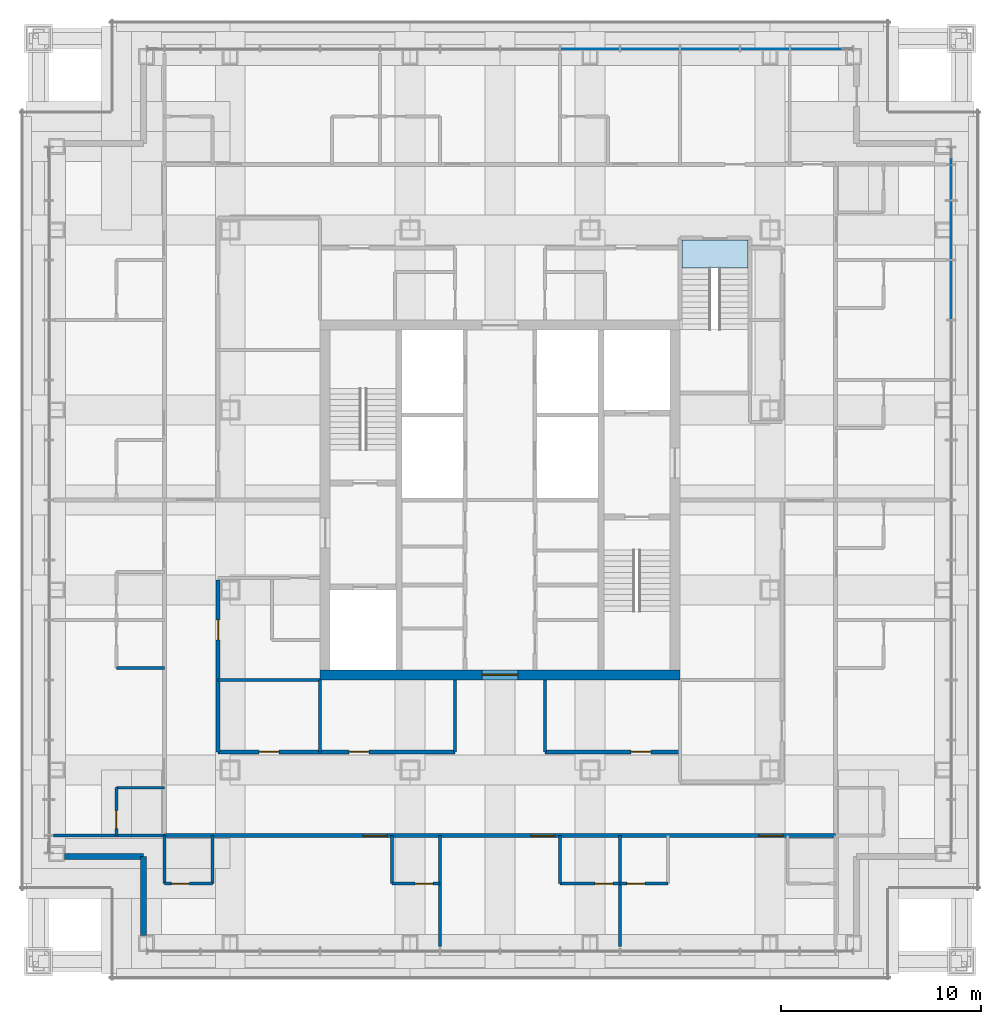
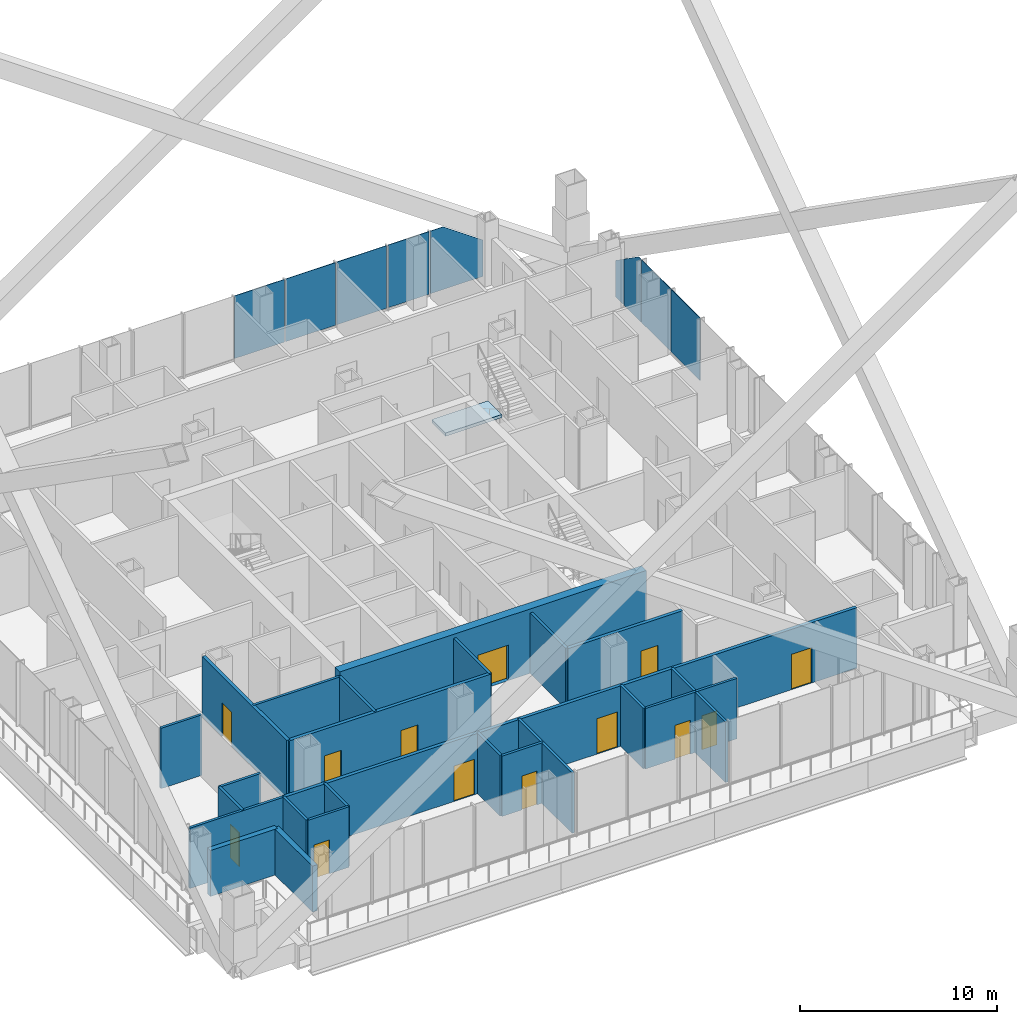
# One storey, part 11 of 18: 25 walls, 13 doors, 9 plates, 1 slab, 13 openings, 3 elements without a shape of their own.
"""IFC4 building model written with IfcOpenShell, lengths in metres."""

from ifc_helpers import new_model, si_unit, direction, frame, frame_2d, origin, origin_2d, place, context, subcontext, project, spatial, polyline, rectangle, outline, extrude, material, layer, layer_set, type_object, element, fill, aggregate, save


model = new_model("IFC4")

# Units and contexts
model_context = context("Model", 3, precision=1e-05, world=origin(), true_north=direction((0.0, 1.0)))
body_context = subcontext(model_context, "Body", "Model", "MODEL_VIEW")
ifc_project = project(units=[si_unit("LENGTHUNIT", "METRE"), si_unit("AREAUNIT", "SQUARE_METRE"), si_unit("VOLUMEUNIT", "CUBIC_METRE"), si_unit("PLANEANGLEUNIT", "RADIAN"), si_unit("MASSUNIT", "GRAM", prefix="KILO")], contexts=[model_context])

# Site, building, storey
site_placement = place(None, origin())
site = spatial("IfcSite", under=ifc_project, at=site_placement, CompositionType="ELEMENT")
building_placement = place(site_placement, origin())
building = spatial("IfcBuilding", under=site, at=building_placement, Name="Malebo Sky Hospital", CompositionType="ELEMENT")
storey_placement = place(building_placement, frame((0.0, 0.0, 177.0)))
storey = spatial("IfcBuildingStorey", under=building, at=storey_placement, Name="L42", CompositionType="ELEMENT", Elevation=177.0)

# Stair, slab
ifc_material_1 = material(Name="Concrete C40/50", Category="concrete")
stair_type = type_object("IfcStairType", Name="HALF-TURN STAIR 1400 R167", PredefinedType="HALF_TURN_STAIR", material=ifc_material_1)
stair_placement = place(storey_placement, origin())
stair = element("IfcStair", 1, at=stair_placement, inside=storey, type_object=stair_type, Name="Stair S3 L42 type ST1B", PredefinedType="HALF_TURN_STAIR")
ifc_layer_1 = layer(ifc_material_1, 0.199951171875)
ifc_layer_set_1 = layer_set([ifc_layer_1], Name="STAIR LANDING 200")
slab_type = type_object("IfcSlabType", Name="STAIR LANDING 200", PredefinedType="LANDING", material=ifc_layer_set_1)
slab_placement = place(storey_placement, frame((0.0, 0.0, -0.199951171875)))
slab = element("IfcSlab", 2, at=slab_placement, type_object=slab_type, Name="S3 landing 1", PredefinedType="LANDING", context=body_context, shape_type="SweptSolid", body=[
    extrude(outline(polyline([(69.10009765625, 73.60009765625), (72.39990234375, 73.60009765625), (72.39990234375, 75.0), (69.10009765625, 75.0), (69.10009765625, 73.60009765625)])), origin(), (0.0, 0.0, 1.0), 0.199951171875),
])
aggregate(stair, [slab])

# Curtain wall, plates
ifc_material_2 = material(Name="Anodised aluminium, natural silver", Category="aluminium")
ifc_layer_2 = layer(ifc_material_2, 0.25)
ifc_layer_set_2 = layer_set([ifc_layer_2], Name="WARD CURTAIN WALL NORTH AND SOUTH")
curtain_wall_type_1 = type_object("IfcCurtainWallType", Name="WARD CURTAIN WALL NORTH AND SOUTH", PredefinedType="NOTDEFINED", material=ifc_layer_set_2)
curtain_wall_1_placement = place(storey_placement, origin())
curtain_wall_1 = element("IfcCurtainWall", 3, at=curtain_wall_1_placement, inside=storey, type_object=curtain_wall_type_1, Name="NS curtain wall N", PredefinedType="NOTDEFINED")
ifc_material_3 = material(Name="Clear low-iron double glazing", Category="glass")
ifc_layer_3 = layer(ifc_material_3, 0.031982421875)
ifc_layer_set_3 = layer_set([ifc_layer_3], Name="VISION PANEL CLEAR 32")
plate_type = type_object("IfcPlateType", Name="VISION PANEL CLEAR 32", PredefinedType="CURTAIN_PANEL", material=ifc_layer_set_3)
plate_1_placement = place(storey_placement, frame((64.5, 84.574951171875, 0.10009765625), z_axis=(0.0, 0.0, 1.0), x_axis=(1.0, 0.0, 0.0)))
plate_1 = element("IfcPlate", 4, at=plate_1_placement, type_object=plate_type, Name="Panel 9", PredefinedType="CURTAIN_PANEL", context=body_context, shape_type="SweptSolid", body=[
    extrude(rectangle(XDim=2.925048828125, YDim=0.031982421875, at=origin_2d()), origin(), (0.0, 0.0, 1.0), 3.889892578125),
])
plate_2_placement = place(storey_placement, frame((67.5, 84.574951171875, 0.10009765625), z_axis=(0.0, 0.0, 1.0), x_axis=(1.0, 0.0, 0.0)))
plate_2 = element("IfcPlate", 5, at=plate_2_placement, type_object=plate_type, Name="Panel 10", PredefinedType="CURTAIN_PANEL", context=body_context, shape_type="SweptSolid", body=[
    extrude(rectangle(XDim=2.925048828125, YDim=0.031982421875, at=origin_2d()), origin(), (0.0, 0.0, 1.0), 3.889892578125),
])
plate_3_placement = place(storey_placement, frame((70.5, 84.574951171875, 0.10009765625), z_axis=(0.0, 0.0, 1.0), x_axis=(1.0, 0.0, 0.0)))
plate_3 = element("IfcPlate", 6, at=plate_3_placement, type_object=plate_type, Name="Panel 11", PredefinedType="CURTAIN_PANEL", context=body_context, shape_type="SweptSolid", body=[
    extrude(rectangle(XDim=2.925048828125, YDim=0.031982421875, at=origin_2d()), origin(), (0.0, 0.0, 1.0), 3.889892578125),
])
plate_4_placement = place(storey_placement, frame((73.25, 84.574951171875, 0.10009765625), z_axis=(0.0, 0.0, 1.0), x_axis=(1.0, 0.0, 0.0)))
plate_4 = element("IfcPlate", 7, at=plate_4_placement, type_object=plate_type, Name="Panel 12", PredefinedType="CURTAIN_PANEL", context=body_context, shape_type="SweptSolid", body=[
    extrude(rectangle(XDim=2.425048828125, YDim=0.031982421875, at=origin_2d()), origin(), (0.0, 0.0, 1.0), 3.889892578125),
])
plate_5_placement = place(storey_placement, frame((76.081298828125, 84.574951171875, 0.10009765625), z_axis=(0.0, 0.0, 1.0), x_axis=(1.0, 0.0, 0.0)))
plate_5 = element("IfcPlate", 8, at=plate_5_placement, type_object=plate_type, Name="Panel 13", PredefinedType="CURTAIN_PANEL", context=body_context, shape_type="SweptSolid", body=[
    extrude(outline(polyline([(-1.543701171875, 0.0), (1.543701171875, 0.0), (1.543701171875, 2.25341796875), (-0.786376953125, 3.889892578125), (-1.543701171875, 3.889892578125), (-1.543701171875, 0.0)])), frame((0.0, 0.01611328125, 0.0), z_axis=(0.0, -1.0, 0.0), x_axis=(1.0, 0.0, 0.0)), (0.0, 0.0, 1.0), 0.031982421875),
])
aggregate(curtain_wall_1, [plate_1, plate_2, plate_3, plate_4, plate_5])

ifc_layer_4 = layer(ifc_material_2, 0.25)
ifc_layer_set_4 = layer_set([ifc_layer_4], Name="WARD CURTAIN WALL EAST AND WEST")
curtain_wall_type_2 = type_object("IfcCurtainWallType", Name="WARD CURTAIN WALL EAST AND WEST", PredefinedType="NOTDEFINED", material=ifc_layer_set_4)
curtain_wall_2_placement = place(storey_placement, origin())
curtain_wall_2 = element("IfcCurtainWall", 9, at=curtain_wall_2_placement, inside=storey, type_object=curtain_wall_type_2, Name="EW curtain wall E", PredefinedType="NOTDEFINED")
plate_6_placement = place(storey_placement, frame((82.574951171875, 79.231201171875, 0.10009765625), z_axis=(0.0, 0.0, 1.0), x_axis=(0.0, -1.0, 0.0)))
plate_6 = element("IfcPlate", 10, at=plate_6_placement, type_object=plate_type, Name="Panel 1", PredefinedType="CURTAIN_PANEL", context=body_context, shape_type="SweptSolid", body=[
    extrude(outline(polyline([(-0.393798828125, 0.0), (0.393798828125, 0.0), (0.393798828125, 2.806396484375), (-0.393798828125, 2.25341796875), (-0.393798828125, 0.0)])), frame((0.0, 0.01611328125, 0.0), z_axis=(0.0, -1.0, 0.0), x_axis=(1.0, 0.0, 0.0)), (0.0, 0.0, 1.0), 0.031982421875),
])
plate_7_placement = place(storey_placement, frame((82.574951171875, 77.89990234375, 0.10009765625), z_axis=(0.0, 0.0, 1.0), x_axis=(0.0, -1.0, 0.0)))
plate_7 = element("IfcPlate", 11, at=plate_7_placement, type_object=plate_type, Name="Panel 2", PredefinedType="CURTAIN_PANEL", context=body_context, shape_type="SweptSolid", body=[
    extrude(outline(polyline([(-0.862548828125, 0.0), (0.862548828125, 0.0), (0.862548828125, 3.889892578125), (0.605224609375, 3.889892578125), (-0.862548828125, 2.859130859375), (-0.862548828125, 0.0)])), frame((0.0, 0.01611328125, 0.0), z_axis=(0.0, -1.0, 0.0), x_axis=(1.0, 0.0, 0.0)), (0.0, 0.0, 1.0), 0.031982421875),
])
plate_8_placement = place(storey_placement, frame((82.574951171875, 75.5, 0.10009765625), z_axis=(0.0, 0.0, 1.0), x_axis=(0.0, -1.0, 0.0)))
plate_8 = element("IfcPlate", 12, at=plate_8_placement, type_object=plate_type, Name="Panel 3", PredefinedType="CURTAIN_PANEL", context=body_context, shape_type="SweptSolid", body=[
    extrude(rectangle(XDim=2.925048828125, YDim=0.031982421875, at=origin_2d()), origin(), (0.0, 0.0, 1.0), 3.889892578125),
])
plate_9_placement = place(storey_placement, frame((82.574951171875, 72.5, 0.10009765625), z_axis=(0.0, 0.0, 1.0), x_axis=(0.0, -1.0, 0.0)))
plate_9 = element("IfcPlate", 13, at=plate_9_placement, type_object=plate_type, Name="Panel 4", PredefinedType="CURTAIN_PANEL", context=body_context, shape_type="SweptSolid", body=[
    extrude(rectangle(XDim=2.925048828125, YDim=0.031982421875, at=origin_2d()), origin(), (0.0, 0.0, 1.0), 3.889892578125),
])
aggregate(curtain_wall_2, [plate_6, plate_7, plate_8, plate_9])

# Wall, opening, door
ifc_material_4 = material(Name="Concrete C80/95", Category="concrete")
ifc_layer_5 = layer(ifc_material_4, 0.5)
ifc_layer_set_5 = layer_set([ifc_layer_5], Name="CORE WALL 500")
wall_type_1 = type_object("IfcWallType", Name="CORE WALL 500", PredefinedType="SHEAR", material=ifc_layer_set_5)
wall_1_placement = place(storey_placement, frame((51.0, 53.25, 0.0), z_axis=(0.0, 0.0, 1.0), x_axis=(1.0, 0.0, 0.0)))
wall_1 = element("IfcWall", 14, at=wall_1_placement, inside=storey, type_object=wall_type_1, Name="Core wall S L42", PredefinedType="SHEAR", context=body_context, shape_type="SweptSolid", body=[
    extrude(rectangle(XDim=18.0, YDim=0.5, at=frame_2d((9.0, 0.0))), origin(), (0.0, 0.0, 1.0), 4.0),
])
opening_1_placement = place(wall_1_placement, frame((8.10009765625, 0.0, 0.0)))
opening_1 = element("IfcOpeningElement", 15, at=opening_1_placement, cuts=wall_1, Name="Opening D06", PredefinedType="OPENING", context=body_context, shape_type="SweptSolid", body=[
    extrude(rectangle(XDim=1.800048828125, YDim=2.199951171875, at=frame_2d((0.89990234375, 1.10009765625))), frame((0.0, 0.260009765625, 0.0), z_axis=(0.0, -1.0, 0.0), x_axis=(1.0, 0.0, 0.0)), (0.0, 0.0, 1.0), 0.52001953125),
])
ifc_material_5 = material(Name="Hardwood-faced door leaf in steel frame", Category="steel")
door_type_1 = type_object("IfcDoorType", Name="LOBBY DOOR PAIR 1800", OperationType="DOUBLE_DOOR_SINGLE_SWING", PredefinedType="DOOR", material=ifc_material_5)
door_1_placement = place(opening_1_placement, origin())
door_1 = element("IfcDoor", 16, at=door_1_placement, inside=storey, type_object=door_type_1, Name="Service lobby door south", OperationType="DOUBLE_DOOR_SINGLE_SWING", OverallHeight=2.199951171875, OverallWidth=1.800048828125, PredefinedType="DOOR", context=body_context, shape_type="SweptSolid", body=[
    extrude(rectangle(XDim=1.800048828125, YDim=2.199951171875, at=frame_2d((0.89990234375, 1.10009765625))), frame((0.0, 0.02490234375, 0.0), z_axis=(0.0, -1.0, 0.0), x_axis=(1.0, 0.0, 0.0)), (0.0, 0.0, 1.0), 0.050048828125),
])
fill(opening_1, door_1)

ifc_material_6 = material(Name="Gypsum board on steel studs", Category="steel")
ifc_layer_6 = layer(ifc_material_6, 0.199951171875)
ifc_layer_set_6 = layer_set([ifc_layer_6], Name="CORRIDOR WALL 200")
wall_type_2 = type_object("IfcWallType", Name="CORRIDOR WALL 200", PredefinedType="PARTITIONING", material=ifc_layer_set_6)
wall_2_placement = place(storey_placement, frame((45.89990234375, 49.39990234375, 0.0), z_axis=(0.0, 0.0, 1.0), x_axis=(0.0, 1.0, 0.0)))
wall_2 = element("IfcWall", 17, at=wall_2_placement, inside=storey, type_object=wall_type_2, Name="Corridor Wall 200 WCI1", PredefinedType="PARTITIONING", context=body_context, shape_type="SweptSolid", body=[
    extrude(rectangle(XDim=8.60009765625, YDim=0.199951171875, at=frame_2d((4.300048828125, 0.0))), origin(), (0.0, 0.0, 1.0), 3.75),
])
opening_2_placement = place(wall_2_placement, frame((5.60009765625, 0.0, 0.0)))
opening_2 = element("IfcOpeningElement", 18, at=opening_2_placement, cuts=wall_2, Name="Opening D03", PredefinedType="OPENING", context=body_context, shape_type="SweptSolid", body=[
    extrude(rectangle(XDim=1.0, YDim=2.10009765625, at=frame_2d((0.5, 1.050048828125))), frame((0.0, 0.10986328125, 0.0), z_axis=(0.0, -1.0, 0.0), x_axis=(1.0, 0.0, 0.0)), (0.0, 0.0, 1.0), 0.219970703125),
])
door_type_2 = type_object("IfcDoorType", Name="ROOM DOOR 1000", OperationType="SINGLE_SWING_LEFT", PredefinedType="DOOR", material=ifc_material_5)
door_2_placement = place(opening_2_placement, origin())
door_2 = element("IfcDoor", 19, at=door_2_placement, inside=storey, type_object=door_type_2, Name="Linen store door", OperationType="SINGLE_SWING_LEFT", OverallHeight=2.10009765625, OverallWidth=1.0, PredefinedType="DOOR", context=body_context, shape_type="SweptSolid", body=[
    extrude(rectangle(XDim=1.0, YDim=2.10009765625, at=frame_2d((0.5, 1.050048828125))), frame((0.0, 0.02490234375, 0.0), z_axis=(0.0, -1.0, 0.0), x_axis=(1.0, 0.0, 0.0)), (0.0, 0.0, 1.0), 0.050048828125),
])
fill(opening_2, door_2)

# Wall, openings, doors
wall_3_placement = place(storey_placement, frame((76.800048828125, 45.199951171875, 0.0), z_axis=(0.0, 0.0, 1.0), x_axis=(-1.0, 0.0, 0.0)))
wall_3 = element("IfcWall", 20, at=wall_3_placement, inside=storey, type_object=wall_type_2, Name="Corridor Wall 200 SCO", PredefinedType="PARTITIONING", context=body_context, shape_type="SweptSolid", body=[
    extrude(rectangle(XDim=33.60009765625, YDim=0.199951171875, at=frame_2d((16.800048828125, 0.0))), origin(), (0.0, 0.0, 1.0), 3.75),
])
opening_3_placement = place(wall_3_placement, frame((2.64990234375, 0.0, 0.0)))
opening_3 = element("IfcOpeningElement", 21, at=opening_3_placement, cuts=wall_3, Name="Opening D01", PredefinedType="OPENING", context=body_context, shape_type="SweptSolid", body=[
    extrude(rectangle(XDim=1.199951171875, YDim=2.199951171875, at=frame_2d((0.60009765625, 1.10009765625))), frame((0.0, 0.10986328125, 0.0), z_axis=(0.0, -1.0, 0.0), x_axis=(1.0, 0.0, 0.0)), (0.0, 0.0, 1.0), 0.219970703125),
])
opening_4_placement = place(wall_3_placement, frame((14.050048828125, 0.0, 0.0)))
opening_4 = element("IfcOpeningElement", 22, at=opening_4_placement, cuts=wall_3, Name="Opening D01", PredefinedType="OPENING", context=body_context, shape_type="SweptSolid", body=[
    extrude(rectangle(XDim=1.199951171875, YDim=2.199951171875, at=frame_2d((0.60009765625, 1.10009765625))), frame((0.0, 0.10986328125, 0.0), z_axis=(0.0, -1.0, 0.0), x_axis=(1.0, 0.0, 0.0)), (0.0, 0.0, 1.0), 0.219970703125),
])
opening_5_placement = place(wall_3_placement, frame((22.449951171875, 0.0, 0.0)))
opening_5 = element("IfcOpeningElement", 23, at=opening_5_placement, cuts=wall_3, Name="Opening D01", PredefinedType="OPENING", context=body_context, shape_type="SweptSolid", body=[
    extrude(rectangle(XDim=1.199951171875, YDim=2.199951171875, at=frame_2d((0.60009765625, 1.10009765625))), frame((0.0, 0.10986328125, 0.0), z_axis=(0.0, -1.0, 0.0), x_axis=(1.0, 0.0, 0.0)), (0.0, 0.0, 1.0), 0.219970703125),
])
door_type_3 = type_object("IfcDoorType", Name="BED DOOR 1200", OperationType="SINGLE_SWING_LEFT", PredefinedType="DOOR", material=ifc_material_5)
door_3_placement = place(opening_3_placement, origin())
door_3 = element("IfcDoor", 24, at=door_3_placement, inside=storey, type_object=door_type_3, Name="Four-bed bay door", OperationType="SINGLE_SWING_LEFT", OverallHeight=2.199951171875, OverallWidth=1.199951171875, PredefinedType="DOOR", context=body_context, shape_type="SweptSolid", body=[
    extrude(rectangle(XDim=1.199951171875, YDim=2.199951171875, at=frame_2d((0.60009765625, 1.10009765625))), frame((0.0, 0.02490234375, 0.0), z_axis=(0.0, -1.0, 0.0), x_axis=(1.0, 0.0, 0.0)), (0.0, 0.0, 1.0), 0.050048828125),
])
fill(opening_3, door_3)
door_4_placement = place(opening_4_placement, origin())
door_4 = element("IfcDoor", 25, at=door_4_placement, inside=storey, type_object=door_type_3, Name="Two-bed room door", OperationType="SINGLE_SWING_LEFT", OverallHeight=2.199951171875, OverallWidth=1.199951171875, PredefinedType="DOOR", context=body_context, shape_type="SweptSolid", body=[
    extrude(rectangle(XDim=1.199951171875, YDim=2.199951171875, at=frame_2d((0.60009765625, 1.10009765625))), frame((0.0, 0.02490234375, 0.0), z_axis=(0.0, -1.0, 0.0), x_axis=(1.0, 0.0, 0.0)), (0.0, 0.0, 1.0), 0.050048828125),
])
fill(opening_4, door_4)
door_5_placement = place(opening_5_placement, origin())
door_5 = element("IfcDoor", 26, at=door_5_placement, inside=storey, type_object=door_type_3, Name="Four-bed bay door", OperationType="SINGLE_SWING_LEFT", OverallHeight=2.199951171875, OverallWidth=1.199951171875, PredefinedType="DOOR", context=body_context, shape_type="SweptSolid", body=[
    extrude(rectangle(XDim=1.199951171875, YDim=2.199951171875, at=frame_2d((0.60009765625, 1.10009765625))), frame((0.0, 0.02490234375, 0.0), z_axis=(0.0, -1.0, 0.0), x_axis=(1.0, 0.0, 0.0)), (0.0, 0.0, 1.0), 0.050048828125),
])
fill(opening_5, door_5)

# Wall, opening, door
wall_4_placement = place(storey_placement, frame((69.0, 49.39990234375, 0.0), z_axis=(0.0, 0.0, 1.0), x_axis=(-1.0, 0.0, 0.0)))
wall_4 = element("IfcWall", 27, at=wall_4_placement, inside=storey, type_object=wall_type_2, Name="Corridor Wall 200 SCI1", PredefinedType="PARTITIONING", context=body_context, shape_type="SweptSolid", body=[
    extrude(rectangle(XDim=6.75, YDim=0.199951171875, at=frame_2d((3.375, 0.0))), origin(), (0.0, 0.0, 1.0), 3.75),
])
opening_6_placement = place(wall_4_placement, frame((1.449951171875, 0.0, 0.0)))
opening_6 = element("IfcOpeningElement", 28, at=opening_6_placement, cuts=wall_4, Name="Opening D03", PredefinedType="OPENING", context=body_context, shape_type="SweptSolid", body=[
    extrude(rectangle(XDim=1.0, YDim=2.10009765625, at=frame_2d((0.5, 1.050048828125))), frame((0.0, 0.10986328125, 0.0), z_axis=(0.0, -1.0, 0.0), x_axis=(1.0, 0.0, 0.0)), (0.0, 0.0, 1.0), 0.219970703125),
])
door_6_placement = place(opening_6_placement, origin())
door_6 = element("IfcDoor", 29, at=door_6_placement, inside=storey, type_object=door_type_2, Name="Treatment room door", OperationType="SINGLE_SWING_LEFT", OverallHeight=2.10009765625, OverallWidth=1.0, PredefinedType="DOOR", context=body_context, shape_type="SweptSolid", body=[
    extrude(rectangle(XDim=1.0, YDim=2.10009765625, at=frame_2d((0.5, 1.050048828125))), frame((0.0, 0.02490234375, 0.0), z_axis=(0.0, -1.0, 0.0), x_axis=(1.0, 0.0, 0.0)), (0.0, 0.0, 1.0), 0.050048828125),
])
fill(opening_6, door_6)

# Wall, openings, doors
wall_5_placement = place(storey_placement, frame((57.75, 49.39990234375, 0.0), z_axis=(0.0, 0.0, 1.0), x_axis=(-1.0, 0.0, 0.0)))
wall_5 = element("IfcWall", 30, at=wall_5_placement, inside=storey, type_object=wall_type_2, Name="Corridor Wall 200 SCI2", PredefinedType="PARTITIONING", context=body_context, shape_type="SweptSolid", body=[
    extrude(rectangle(XDim=11.85009765625, YDim=0.199951171875, at=frame_2d((5.925048828125, 0.0))), origin(), (0.0, 0.0, 1.0), 3.75),
])
opening_7_placement = place(wall_5_placement, frame((4.300048828125, 0.0, 0.0)))
opening_7 = element("IfcOpeningElement", 31, at=opening_7_placement, cuts=wall_5, Name="Opening D03", PredefinedType="OPENING", context=body_context, shape_type="SweptSolid", body=[
    extrude(rectangle(XDim=1.0, YDim=2.10009765625, at=frame_2d((0.5, 1.050048828125))), frame((0.0, 0.10986328125, 0.0), z_axis=(0.0, -1.0, 0.0), x_axis=(1.0, 0.0, 0.0)), (0.0, 0.0, 1.0), 0.219970703125),
])
opening_8_placement = place(wall_5_placement, frame((8.800048828125, 0.0, 0.0)))
opening_8 = element("IfcOpeningElement", 32, at=opening_8_placement, cuts=wall_5, Name="Opening D03", PredefinedType="OPENING", context=body_context, shape_type="SweptSolid", body=[
    extrude(rectangle(XDim=1.0, YDim=2.10009765625, at=frame_2d((0.5, 1.050048828125))), frame((0.0, 0.10986328125, 0.0), z_axis=(0.0, -1.0, 0.0), x_axis=(1.0, 0.0, 0.0)), (0.0, 0.0, 1.0), 0.219970703125),
])
door_7_placement = place(opening_7_placement, origin())
door_7 = element("IfcDoor", 33, at=door_7_placement, inside=storey, type_object=door_type_2, Name="Antenatal education room door", OperationType="SINGLE_SWING_RIGHT", OverallHeight=2.10009765625, OverallWidth=1.0, PredefinedType="DOOR", context=body_context, shape_type="SweptSolid", body=[
    extrude(rectangle(XDim=1.0, YDim=2.10009765625, at=frame_2d((0.5, 1.050048828125))), frame((0.0, 0.02490234375, 0.0), z_axis=(0.0, -1.0, 0.0), x_axis=(1.0, 0.0, 0.0)), (0.0, 0.0, 1.0), 0.050048828125),
])
fill(opening_7, door_7)
door_8_placement = place(opening_8_placement, origin())
door_8 = element("IfcDoor", 34, at=door_8_placement, inside=storey, type_object=door_type_2, Name="Dirty utility room door", OperationType="SINGLE_SWING_RIGHT", OverallHeight=2.10009765625, OverallWidth=1.0, PredefinedType="DOOR", context=body_context, shape_type="SweptSolid", body=[
    extrude(rectangle(XDim=1.0, YDim=2.10009765625, at=frame_2d((0.5, 1.050048828125))), frame((0.0, 0.02490234375, 0.0), z_axis=(0.0, -1.0, 0.0), x_axis=(1.0, 0.0, 0.0)), (0.0, 0.0, 1.0), 0.050048828125),
])
fill(opening_8, door_8)

# Walls
ifc_material_7 = material(Name="Anodised aluminium rainscreen on steel framing", Category="steel")
ifc_layer_7 = layer(ifc_material_7, 0.300048828125)
ifc_layer_set_7 = layer_set([ifc_layer_7], Name="NOTCH RAINSCREEN WALL 300")
wall_type_3 = type_object("IfcWallType", Name="NOTCH RAINSCREEN WALL 300", PredefinedType="ELEMENTEDWALL", material=ifc_layer_set_7)
for number, where, z_axis, x_axis, name in (
    (35, (42.14990234375, 40.199951171875, 0.0), (0.0, 0.0, 1.0), (0.0, 1.0, 0.0), "Notch rainscreen wall S1 L42"),
    (36, (42.14990234375, 44.14990234375, 0.0), (0.0, 0.0, 1.0), (-1.0, 0.0, 0.0), "Notch rainscreen wall S2 L42"),
):
    element("IfcWall", number, at=place(storey_placement, frame(where, z_axis=z_axis, x_axis=x_axis)), inside=storey, type_object=wall_type_3, Name=name, PredefinedType="ELEMENTEDWALL", context=body_context, shape_type="SweptSolid", body=[
        extrude(rectangle(XDim=3.949951171875, YDim=0.300048828125, at=frame_2d((1.97509765625, 0.0))), origin(), (0.0, 0.0, 1.0), 2.85009765625),
    ])
ifc_layer_8 = layer(ifc_material_6, 0.14990234375)
ifc_layer_set_8 = layer_set([ifc_layer_8], Name="PARTITION 150")
wall_type_4 = type_object("IfcWallType", Name="PARTITION 150", PredefinedType="PARTITIONING", material=ifc_layer_set_8)
wall_6_placement = place(storey_placement, frame((43.199951171875, 45.199951171875, 0.0), z_axis=(0.0, 0.0, 1.0), x_axis=(-1.0, 0.0, 0.0)))
element("IfcWall", 37, at=wall_6_placement, inside=storey, type_object=wall_type_4, Name="Partition 150 WP0", PredefinedType="PARTITIONING", context=body_context, shape_type="SweptSolid", body=[
    extrude(rectangle(XDim=5.550048828125, YDim=0.14990234375, at=frame_2d((2.77490234375, 0.0))), origin(), (0.0, 0.0, 1.0), 3.75),
])

# Wall, opening, door
wall_7_placement = place(storey_placement, frame((40.800048828125, 45.199951171875, 0.0), z_axis=(0.0, 0.0, 1.0), x_axis=(0.0, 1.0, 0.0)))
wall_7 = element("IfcWall", 38, at=wall_7_placement, inside=storey, type_object=wall_type_4, Name="Partition 150 WE0F", PredefinedType="PARTITIONING", context=body_context, shape_type="SweptSolid", body=[
    extrude(rectangle(XDim=2.400146484375, YDim=0.14990234375, at=frame_2d((1.2001953125, 0.0))), origin(), (0.0, 0.0, 1.0), 3.75),
])
opening_9_placement = place(wall_7_placement, frame((0.35009765625, 0.0, 0.0)))
opening_9 = element("IfcOpeningElement", 39, at=opening_9_placement, cuts=wall_7, Name="Opening D02", PredefinedType="OPENING", context=body_context, shape_type="SweptSolid", body=[
    extrude(rectangle(XDim=0.89990234375, YDim=2.10009765625, at=frame_2d((0.449951171875, 1.050048828125))), frame((0.0, 0.0849609375, 0.0), z_axis=(0.0, -1.0, 0.0), x_axis=(1.0, 0.0, 0.0)), (0.0, 0.0, 1.0), 0.169921875),
])
door_type_4 = type_object("IfcDoorType", Name="EN-SUITE DOOR 900", OperationType="SINGLE_SWING_LEFT", PredefinedType="DOOR", material=ifc_material_5)
door_9_placement = place(opening_9_placement, origin())
door_9 = element("IfcDoor", 40, at=door_9_placement, inside=storey, type_object=door_type_4, Name="En-suite door", OperationType="SINGLE_SWING_LEFT", OverallHeight=2.10009765625, OverallWidth=0.89990234375, PredefinedType="DOOR", context=body_context, shape_type="SweptSolid", body=[
    extrude(rectangle(XDim=0.89990234375, YDim=2.10009765625, at=frame_2d((0.449951171875, 1.050048828125))), frame((0.0, 0.02490234375, 0.0), z_axis=(0.0, -1.0, 0.0), x_axis=(1.0, 0.0, 0.0)), (0.0, 0.0, 1.0), 0.050048828125),
])
fill(opening_9, door_9)

# Walls
for number, where, z_axis, x_axis, name in (
    (41, (43.199951171875, 47.60009765625, 0.0), (0.0, 0.0, 1.0), (-1.0, 0.0, 0.0), "Partition 150 WE0S"),
    (42, (43.199951171875, 53.60009765625, 0.0), (0.0, 0.0, 1.0), (-1.0, 0.0, 0.0), "Partition 150 WG0S"),
):
    element("IfcWall", number, at=place(storey_placement, frame(where, z_axis=z_axis, x_axis=x_axis)), inside=storey, type_object=wall_type_4, Name=name, PredefinedType="PARTITIONING", context=body_context, shape_type="SweptSolid", body=[
        extrude(rectangle(XDim=2.39990234375, YDim=0.14990234375, at=frame_2d((1.199951171875, 0.0))), origin(), (0.0, 0.0, 1.0), 3.75),
    ])
wall_8_placement = place(storey_placement, frame((51.0, 53.0, 0.0), z_axis=(0.0, 0.0, 1.0), x_axis=(-1.0, 0.0, 0.0)))
element("IfcWall", 43, at=wall_8_placement, inside=storey, type_object=wall_type_4, Name="Partition 150 WSP0", PredefinedType="PARTITIONING", context=body_context, shape_type="SweptSolid", body=[
    extrude(rectangle(XDim=5.10009765625, YDim=0.14990234375, at=frame_2d((2.550048828125, 0.0))), origin(), (0.0, 0.0, 1.0), 3.75),
])
for number, where, z_axis, x_axis, name in (
    (44, (66.0, 45.199951171875, 0.0), (0.0, 0.0, 1.0), (0.0, -1.0, 0.0), "Partition 150 SP-6.0"),
    (45, (57.0, 45.199951171875, 0.0), (0.0, 0.0, 1.0), (0.0, -1.0, 0.0), "Partition 150 SP+3.0"),
):
    element("IfcWall", number, at=place(storey_placement, frame(where, z_axis=z_axis, x_axis=x_axis)), inside=storey, type_object=wall_type_4, Name=name, PredefinedType="PARTITIONING", context=body_context, shape_type="SweptSolid", body=[
        extrude(rectangle(XDim=5.550048828125, YDim=0.14990234375, at=frame_2d((2.77490234375, 0.0))), origin(), (0.0, 0.0, 1.0), 3.75),
    ])

# Wall, opening, door
wall_9_placement = place(storey_placement, frame((68.39990234375, 42.800048828125, 0.0), z_axis=(0.0, 0.0, 1.0), x_axis=(-1.0, 0.0, 0.0)))
wall_9 = element("IfcWall", 46, at=wall_9_placement, inside=storey, type_object=wall_type_4, Name="Partition 150 SG0F", PredefinedType="PARTITIONING", context=body_context, shape_type="SweptSolid", body=[
    extrude(rectangle(XDim=2.39990234375, YDim=0.14990234375, at=frame_2d((1.199951171875, 0.0))), origin(), (0.0, 0.0, 1.0), 3.75),
])
opening_10_placement = place(wall_9_placement, frame((1.14990234375, 0.0, 0.0)))
opening_10 = element("IfcOpeningElement", 47, at=opening_10_placement, cuts=wall_9, Name="Opening D02", PredefinedType="OPENING", context=body_context, shape_type="SweptSolid", body=[
    extrude(rectangle(XDim=0.89990234375, YDim=2.10009765625, at=frame_2d((0.449951171875, 1.050048828125))), frame((0.0, 0.0849609375, 0.0), z_axis=(0.0, -1.0, 0.0), x_axis=(1.0, 0.0, 0.0)), (0.0, 0.0, 1.0), 0.169921875),
])
door_10_placement = place(opening_10_placement, origin())
door_10 = element("IfcDoor", 48, at=door_10_placement, inside=storey, type_object=door_type_4, Name="En-suite door", OperationType="SINGLE_SWING_RIGHT", OverallHeight=2.10009765625, OverallWidth=0.89990234375, PredefinedType="DOOR", context=body_context, shape_type="SweptSolid", body=[
    extrude(rectangle(XDim=0.89990234375, YDim=2.10009765625, at=frame_2d((0.449951171875, 1.050048828125))), frame((0.0, 0.02490234375, 0.0), z_axis=(0.0, -1.0, 0.0), x_axis=(1.0, 0.0, 0.0)), (0.0, 0.0, 1.0), 0.050048828125),
])
fill(opening_10, door_10)

wall_10_placement = place(storey_placement, frame((66.0, 42.800048828125, 0.0), z_axis=(0.0, 0.0, 1.0), x_axis=(-1.0, 0.0, 0.0)))
wall_10 = element("IfcWall", 49, at=wall_10_placement, inside=storey, type_object=wall_type_4, Name="Partition 150 SE1F", PredefinedType="PARTITIONING", context=body_context, shape_type="SweptSolid", body=[
    extrude(rectangle(XDim=3.0, YDim=0.14990234375, at=frame_2d((1.5, 0.0))), origin(), (0.0, 0.0, 1.0), 3.75),
])
opening_11_placement = place(wall_10_placement, frame((0.35009765625, 0.0, 0.0)))
opening_11 = element("IfcOpeningElement", 50, at=opening_11_placement, cuts=wall_10, Name="Opening D02", PredefinedType="OPENING", context=body_context, shape_type="SweptSolid", body=[
    extrude(rectangle(XDim=0.89990234375, YDim=2.10009765625, at=frame_2d((0.449951171875, 1.050048828125))), frame((0.0, 0.0849609375, 0.0), z_axis=(0.0, -1.0, 0.0), x_axis=(1.0, 0.0, 0.0)), (0.0, 0.0, 1.0), 0.169921875),
])
door_11_placement = place(opening_11_placement, origin())
door_11 = element("IfcDoor", 51, at=door_11_placement, inside=storey, type_object=door_type_4, Name="En-suite door", OperationType="SINGLE_SWING_LEFT", OverallHeight=2.10009765625, OverallWidth=0.89990234375, PredefinedType="DOOR", context=body_context, shape_type="SweptSolid", body=[
    extrude(rectangle(XDim=0.89990234375, YDim=2.10009765625, at=frame_2d((0.449951171875, 1.050048828125))), frame((0.0, 0.02490234375, 0.0), z_axis=(0.0, -1.0, 0.0), x_axis=(1.0, 0.0, 0.0)), (0.0, 0.0, 1.0), 0.050048828125),
])
fill(opening_11, door_11)

# Wall
wall_11_placement = place(storey_placement, frame((63.0, 45.199951171875, 0.0), z_axis=(0.0, 0.0, 1.0), x_axis=(0.0, -1.0, 0.0)))
element("IfcWall", 52, at=wall_11_placement, inside=storey, type_object=wall_type_4, Name="Partition 150 SE1S", PredefinedType="PARTITIONING", context=body_context, shape_type="SweptSolid", body=[
    extrude(rectangle(XDim=2.39990234375, YDim=0.14990234375, at=frame_2d((1.199951171875, 0.0))), origin(), (0.0, 0.0, 1.0), 3.75),
])

# Wall, opening, door
wall_12_placement = place(storey_placement, frame((57.0, 42.800048828125, 0.0), z_axis=(0.0, 0.0, 1.0), x_axis=(-1.0, 0.0, 0.0)))
wall_12 = element("IfcWall", 53, at=wall_12_placement, inside=storey, type_object=wall_type_4, Name="Partition 150 SE2F", PredefinedType="PARTITIONING", context=body_context, shape_type="SweptSolid", body=[
    extrude(rectangle(XDim=2.39990234375, YDim=0.14990234375, at=frame_2d((1.199951171875, 0.0))), origin(), (0.0, 0.0, 1.0), 3.75),
])
opening_12_placement = place(wall_12_placement, frame((0.35009765625, 0.0, 0.0)))
opening_12 = element("IfcOpeningElement", 54, at=opening_12_placement, cuts=wall_12, Name="Opening D02", PredefinedType="OPENING", context=body_context, shape_type="SweptSolid", body=[
    extrude(rectangle(XDim=0.89990234375, YDim=2.10009765625, at=frame_2d((0.449951171875, 1.050048828125))), frame((0.0, 0.0849609375, 0.0), z_axis=(0.0, -1.0, 0.0), x_axis=(1.0, 0.0, 0.0)), (0.0, 0.0, 1.0), 0.169921875),
])
door_12_placement = place(opening_12_placement, origin())
door_12 = element("IfcDoor", 55, at=door_12_placement, inside=storey, type_object=door_type_4, Name="En-suite door", OperationType="SINGLE_SWING_LEFT", OverallHeight=2.10009765625, OverallWidth=0.89990234375, PredefinedType="DOOR", context=body_context, shape_type="SweptSolid", body=[
    extrude(rectangle(XDim=0.89990234375, YDim=2.10009765625, at=frame_2d((0.449951171875, 1.050048828125))), frame((0.0, 0.02490234375, 0.0), z_axis=(0.0, -1.0, 0.0), x_axis=(1.0, 0.0, 0.0)), (0.0, 0.0, 1.0), 0.050048828125),
])
fill(opening_12, door_12)

# Wall
wall_13_placement = place(storey_placement, frame((54.60009765625, 45.199951171875, 0.0), z_axis=(0.0, 0.0, 1.0), x_axis=(0.0, -1.0, 0.0)))
element("IfcWall", 56, at=wall_13_placement, inside=storey, type_object=wall_type_4, Name="Partition 150 SE2S", PredefinedType="PARTITIONING", context=body_context, shape_type="SweptSolid", body=[
    extrude(rectangle(XDim=2.39990234375, YDim=0.14990234375, at=frame_2d((1.199951171875, 0.0))), origin(), (0.0, 0.0, 1.0), 3.75),
])

# Wall, opening, door
wall_14_placement = place(storey_placement, frame((45.60009765625, 42.800048828125, 0.0), z_axis=(0.0, 0.0, 1.0), x_axis=(-1.0, 0.0, 0.0)))
wall_14 = element("IfcWall", 57, at=wall_14_placement, inside=storey, type_object=wall_type_4, Name="Partition 150 SG2F", PredefinedType="PARTITIONING", context=body_context, shape_type="SweptSolid", body=[
    extrude(rectangle(XDim=2.400146484375, YDim=0.14990234375, at=frame_2d((1.2001953125, 0.0))), origin(), (0.0, 0.0, 1.0), 3.75),
])
opening_13_placement = place(wall_14_placement, frame((1.14990234375, 0.0, 0.0)))
opening_13 = element("IfcOpeningElement", 58, at=opening_13_placement, cuts=wall_14, Name="Opening D02", PredefinedType="OPENING", context=body_context, shape_type="SweptSolid", body=[
    extrude(rectangle(XDim=0.89990234375, YDim=2.10009765625, at=frame_2d((0.449951171875, 1.050048828125))), frame((0.0, 0.0849609375, 0.0), z_axis=(0.0, -1.0, 0.0), x_axis=(1.0, 0.0, 0.0)), (0.0, 0.0, 1.0), 0.169921875),
])
door_13_placement = place(opening_13_placement, origin())
door_13 = element("IfcDoor", 59, at=door_13_placement, inside=storey, type_object=door_type_4, Name="En-suite door", OperationType="SINGLE_SWING_RIGHT", OverallHeight=2.10009765625, OverallWidth=0.89990234375, PredefinedType="DOOR", context=body_context, shape_type="SweptSolid", body=[
    extrude(rectangle(XDim=0.89990234375, YDim=2.10009765625, at=frame_2d((0.449951171875, 1.050048828125))), frame((0.0, 0.02490234375, 0.0), z_axis=(0.0, -1.0, 0.0), x_axis=(1.0, 0.0, 0.0)), (0.0, 0.0, 1.0), 0.050048828125),
])
fill(opening_13, door_13)

# Walls
for number, where, z_axis, x_axis, name in (
    (60, (45.60009765625, 45.199951171875, 0.0), (0.0, 0.0, 1.0), (0.0, -1.0, 0.0), "Partition 150 SG2S"),
    (61, (43.199951171875, 45.199951171875, 0.0), (0.0, 0.0, 1.0), (0.0, -1.0, 0.0), "Partition 150 SEZ"),
):
    element("IfcWall", number, at=place(storey_placement, frame(where, z_axis=z_axis, x_axis=x_axis)), inside=storey, type_object=wall_type_4, Name=name, PredefinedType="PARTITIONING", context=body_context, shape_type="SweptSolid", body=[
        extrude(rectangle(XDim=2.39990234375, YDim=0.14990234375, at=frame_2d((1.199951171875, 0.0))), origin(), (0.0, 0.0, 1.0), 3.75),
    ])
for number, where, z_axis, x_axis, name in (
    (62, (62.25, 53.0, 0.0), (0.0, 0.0, 1.0), (0.0, -1.0, 0.0), "Partition 150 SSPA"),
    (63, (57.75, 53.0, 0.0), (0.0, 0.0, 1.0), (0.0, -1.0, 0.0), "Partition 150 SSPB"),
    (64, (51.0, 53.0, 0.0), (0.0, 0.0, 1.0), (0.0, -1.0, 0.0), "Partition 150 SSP+9.0"),
):
    element("IfcWall", number, at=place(storey_placement, frame(where, z_axis=z_axis, x_axis=x_axis)), inside=storey, type_object=wall_type_4, Name=name, PredefinedType="PARTITIONING", context=body_context, shape_type="SweptSolid", body=[
        extrude(rectangle(XDim=3.60009765625, YDim=0.14990234375, at=frame_2d((1.800048828125, 0.0))), origin(), (0.0, 0.0, 1.0), 3.75),
    ])

save(model, "model.ifc")
